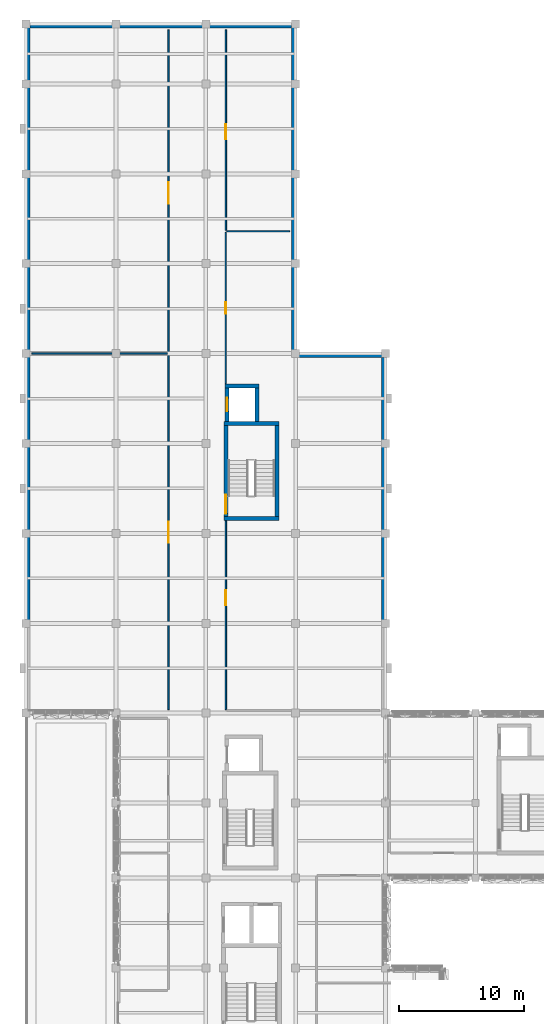
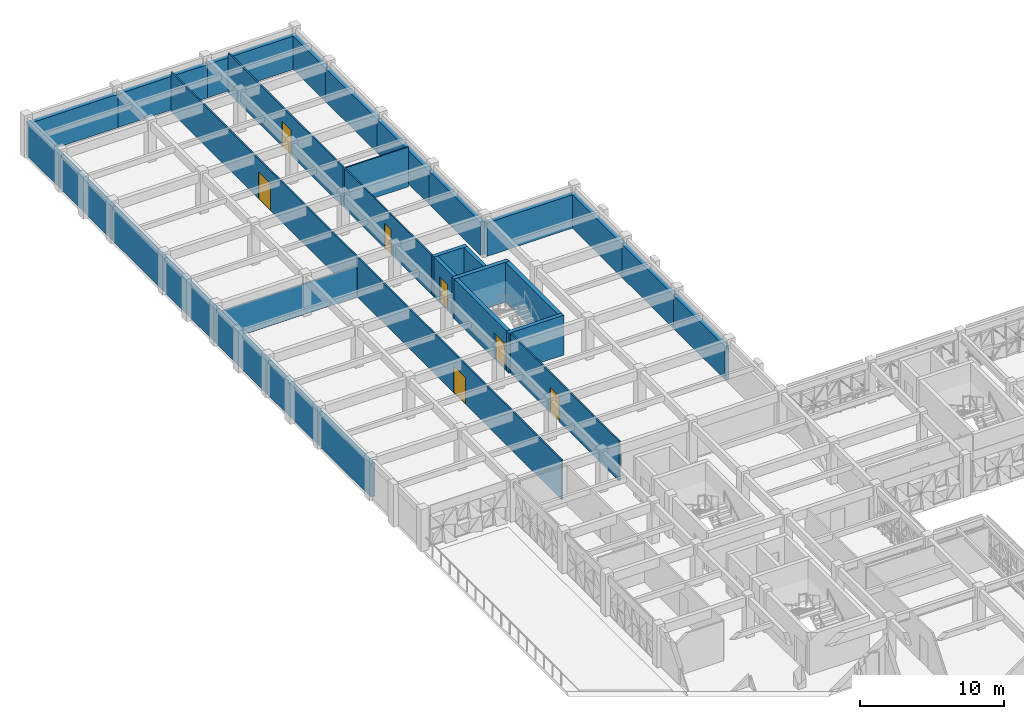
# One storey, part 47 of 85: 32 walls, 7 doors, 7 openings.
"""IFC4 building model written with IfcOpenShell, lengths in metres."""

from ifc_helpers import new_model, si_unit, direction, frame, frame_2d, origin, place, context, subcontext, project, spatial, rectangle, extrude, material, layer, layer_set, type_object, element, fill, save


model = new_model("IFC4")

# Units and contexts
model_context = context("Model", 3, precision=1e-05, world=origin(), true_north=direction((0.0, 1.0)))
body_context = subcontext(model_context, "Body", "Model", "MODEL_VIEW")
ifc_project = project(units=[si_unit("LENGTHUNIT", "METRE"), si_unit("AREAUNIT", "SQUARE_METRE"), si_unit("VOLUMEUNIT", "CUBIC_METRE"), si_unit("PLANEANGLEUNIT", "RADIAN"), si_unit("MASSUNIT", "GRAM", prefix="KILO")], contexts=[model_context])

# Site, building, storey
site_placement = place(None, origin())
site = spatial("IfcSite", under=ifc_project, at=site_placement, CompositionType="ELEMENT")
building_placement = place(site_placement, origin())
building = spatial("IfcBuilding", under=site, at=building_placement, Name="Alvorim Cloister Faculty of Sciences", CompositionType="ELEMENT")
storey_placement = place(building_placement, frame((0.0, 0.0, 8.550048828125)))
storey = spatial("IfcBuildingStorey", under=building, at=storey_placement, Name="L02", CompositionType="ELEMENT", Elevation=8.550048828125)

# Walls
ifc_material_1 = material(Name="Precast Concrete C40", Category="concrete")
ifc_layer_1 = layer(ifc_material_1, 0.320068359375)
ifc_layer_set_1 = layer_set([ifc_layer_1], Name="Precast Concrete C40")
wall_type_1 = type_object("IfcWallType", Name="WL-EXT-PC-320", PredefinedType="SOLIDWALL", material=ifc_layer_set_1)
for number, where, z_axis, x_axis, name in (
    (1, (0.159912109375, 63.60009765625, 0.0), (0.0, 0.0, 1.0), (0.0, 1.0, 0.0), "L02 Exterior Wall WL-0158"),
    (2, (0.159912109375, 70.800048828125, 0.0), (0.0, 0.0, 1.0), (0.0, 1.0, 0.0), "L02 Exterior Wall WL-0159"),
    (3, (0.159912109375, 78.0, 0.0), (0.0, 0.0, 1.0), (0.0, 1.0, 0.0), "L02 Exterior Wall WL-0160"),
    (4, (0.159912109375, 85.199951171875, 0.0), (0.0, 0.0, 1.0), (0.0, 1.0, 0.0), "L02 Exterior Wall WL-0161"),
):
    element("IfcWall", number, at=place(storey_placement, frame(where, z_axis=z_axis, x_axis=x_axis)), inside=storey, type_object=wall_type_1, Name=name, PredefinedType="SOLIDWALL", context=body_context, shape_type="SweptSolid", body=[
        extrude(rectangle(XDim=7.199951171875, YDim=0.320068359375, at=frame_2d((3.60009765625, 0.0))), origin(), (0.0, 0.0, 1.0), 2.83984375),
    ])
wall_1_placement = place(storey_placement, frame((0.159912109375, 92.39990234375, 0.0), z_axis=(0.0, 0.0, 1.0), x_axis=(0.0, 1.0, 0.0)))
element("IfcWall", 5, at=wall_1_placement, inside=storey, type_object=wall_type_1, Name="L02 Exterior Wall WL-0162", PredefinedType="SOLIDWALL", context=body_context, shape_type="SweptSolid", body=[
    extrude(rectangle(XDim=7.2001953125, YDim=0.320068359375, at=frame_2d((3.60009765625, 0.0))), origin(), (0.0, 0.0, 1.0), 2.83984375),
])
wall_2_placement = place(storey_placement, frame((0.159912109375, 99.60009765625, 0.0), z_axis=(0.0, 0.0, 1.0), x_axis=(0.0, 1.0, 0.0)))
element("IfcWall", 6, at=wall_2_placement, inside=storey, type_object=wall_type_1, Name="L02 Exterior Wall WL-0163", PredefinedType="SOLIDWALL", context=body_context, shape_type="SweptSolid", body=[
    extrude(rectangle(XDim=7.199951171875, YDim=0.320068359375, at=frame_2d((3.60009765625, 0.0))), origin(), (0.0, 0.0, 1.0), 2.83984375),
])
wall_3_placement = place(storey_placement, frame((0.159912109375, 106.800048828125, 0.0), z_axis=(0.0, 0.0, 1.0), x_axis=(0.0, 1.0, 0.0)))
element("IfcWall", 7, at=wall_3_placement, inside=storey, type_object=wall_type_1, Name="L02 Exterior Wall WL-0164", PredefinedType="SOLIDWALL", context=body_context, shape_type="SweptSolid", body=[
    extrude(rectangle(XDim=4.800048828125, YDim=0.320068359375, at=frame_2d((2.39990234375, 0.0))), origin(), (0.0, 0.0, 1.0), 2.83984375),
])
for number, where, z_axis, x_axis, name in (
    (8, (0.0, 111.43994140625, 0.0), (0.0, 0.0, 1.0), (1.0, 0.0, 0.0), "L02 Exterior Wall WL-0165"),
    (9, (7.199951171875, 111.43994140625, 0.0), (0.0, 0.0, 1.0), (1.0, 0.0, 0.0), "L02 Exterior Wall WL-0166"),
):
    element("IfcWall", number, at=place(storey_placement, frame(where, z_axis=z_axis, x_axis=x_axis)), inside=storey, type_object=wall_type_1, Name=name, PredefinedType="SOLIDWALL", context=body_context, shape_type="SweptSolid", body=[
        extrude(rectangle(XDim=7.199951171875, YDim=0.320068359375, at=frame_2d((3.60009765625, 0.0))), origin(), (0.0, 0.0, 1.0), 2.83984375),
    ])
wall_4_placement = place(storey_placement, frame((14.39990234375, 111.43994140625, 0.0), z_axis=(0.0, 0.0, 1.0), x_axis=(1.0, 0.0, 0.0)))
element("IfcWall", 10, at=wall_4_placement, inside=storey, type_object=wall_type_1, Name="L02 Exterior Wall WL-0167", PredefinedType="SOLIDWALL", context=body_context, shape_type="SweptSolid", body=[
    extrude(rectangle(XDim=7.2001953125, YDim=0.320068359375, at=frame_2d((3.60009765625, 0.0))), origin(), (0.0, 0.0, 1.0), 2.83984375),
])
wall_5_placement = place(storey_placement, frame((21.43994140625, 106.800048828125, 0.0), z_axis=(0.0, 0.0, 1.0), x_axis=(0.0, 1.0, 0.0)))
element("IfcWall", 11, at=wall_5_placement, inside=storey, type_object=wall_type_1, Name="L02 Exterior Wall WL-0168", PredefinedType="SOLIDWALL", context=body_context, shape_type="SweptSolid", body=[
    extrude(rectangle(XDim=4.800048828125, YDim=0.320068359375, at=frame_2d((2.39990234375, 0.0))), origin(), (0.0, 0.0, 1.0), 2.83984375),
])
wall_6_placement = place(storey_placement, frame((21.43994140625, 99.60009765625, 0.0), z_axis=(0.0, 0.0, 1.0), x_axis=(0.0, 1.0, 0.0)))
element("IfcWall", 12, at=wall_6_placement, inside=storey, type_object=wall_type_1, Name="L02 Exterior Wall WL-0169", PredefinedType="SOLIDWALL", context=body_context, shape_type="SweptSolid", body=[
    extrude(rectangle(XDim=7.199951171875, YDim=0.320068359375, at=frame_2d((3.60009765625, 0.0))), origin(), (0.0, 0.0, 1.0), 2.83984375),
])
wall_7_placement = place(storey_placement, frame((21.43994140625, 92.39990234375, 0.0), z_axis=(0.0, 0.0, 1.0), x_axis=(0.0, 1.0, 0.0)))
element("IfcWall", 13, at=wall_7_placement, inside=storey, type_object=wall_type_1, Name="L02 Exterior Wall WL-0170", PredefinedType="SOLIDWALL", context=body_context, shape_type="SweptSolid", body=[
    extrude(rectangle(XDim=7.2001953125, YDim=0.320068359375, at=frame_2d((3.60009765625, 0.0))), origin(), (0.0, 0.0, 1.0), 2.83984375),
])
for number, where, z_axis, x_axis, name in (
    (14, (21.43994140625, 85.199951171875, 0.0), (0.0, 0.0, 1.0), (0.0, 1.0, 0.0), "L02 Exterior Wall WL-0171"),
    (15, (21.60009765625, 85.0400390625, 0.0), (0.0, 0.0, 1.0), (1.0, 0.0, 0.0), "L02 Exterior Wall WL-0172"),
    (16, (28.639892578125, 78.0, 0.0), (0.0, 0.0, 1.0), (0.0, 1.0, 0.0), "L02 Exterior Wall WL-0173"),
    (17, (28.639892578125, 70.800048828125, 0.0), (0.0, 0.0, 1.0), (0.0, 1.0, 0.0), "L02 Exterior Wall WL-0174"),
    (18, (28.639892578125, 63.60009765625, 0.0), (0.0, 0.0, 1.0), (0.0, 1.0, 0.0), "L02 Exterior Wall WL-0175"),
):
    element("IfcWall", number, at=place(storey_placement, frame(where, z_axis=z_axis, x_axis=x_axis)), inside=storey, type_object=wall_type_1, Name=name, PredefinedType="SOLIDWALL", context=body_context, shape_type="SweptSolid", body=[
        extrude(rectangle(XDim=7.199951171875, YDim=0.320068359375, at=frame_2d((3.60009765625, 0.0))), origin(), (0.0, 0.0, 1.0), 2.83984375),
    ])

# Wall, opening, door
ifc_material_2 = material(Name="Moisture-Resistant Tile Stud Partition", Category="gypsum")
ifc_layer_2 = layer(ifc_material_2, 0.10009765625)
ifc_layer_set_2 = layer_set([ifc_layer_2], Name="Moisture-Resistant Tile Stud Partition")
wall_type_2 = type_object("IfcWallType", Name="WL-PRT-100", PredefinedType="PARTITIONING", material=ifc_layer_set_2)
wall_8_placement = place(storey_placement, frame((16.0, 82.7900390625, 0.0), z_axis=(0.0, 0.0, 1.0), x_axis=(0.0, 1.0, 0.0)))
wall_8 = element("IfcWall", 19, at=wall_8_placement, inside=storey, type_object=wall_type_2, Name="L02 L02 Commons Accessible WCs Partition IWL-0569", PredefinedType="PARTITIONING", context=body_context, shape_type="SweptSolid", body=[
    extrude(rectangle(XDim=12.1298828125, YDim=0.10009765625, at=frame_2d((6.06494140625, 0.0))), origin(), (0.0, 0.0, 1.0), 3.375),
])
opening_1_placement = place(wall_8_placement, frame((5.614990234375, 0.0, 0.0)))
opening_1 = element("IfcOpeningElement", 20, at=opening_1_placement, cuts=wall_8, Name="Opening D-L02-137", PredefinedType="OPENING", context=body_context, shape_type="SweptSolid", body=[
    extrude(rectangle(XDim=0.89990234375, YDim=2.10009765625, at=frame_2d((0.449951171875, 1.050048828125))), frame((0.0, 0.06201171875, 0.0), z_axis=(0.0, -1.0, 0.0), x_axis=(1.0, 0.0, 0.0)), (0.0, 0.0, 1.0), 0.1240234375),
])
ifc_material_3 = material(Name="Moisture-Resistant Laminate Timber", Category="wood")
door_type_1 = type_object("IfcDoorType", Name="DR-WC-900x2100", OperationType="NOTDEFINED", PredefinedType="DOOR", material=ifc_material_3)
door_1_placement = place(opening_1_placement, origin())
door_1 = element("IfcDoor", 21, at=door_1_placement, inside=storey, type_object=door_type_1, Name="L02 Commons Accessible WCs Door D-L02-137", OperationType="SINGLE_SWING_LEFT", OverallHeight=2.10009765625, OverallWidth=0.89990234375, PredefinedType="DOOR", context=body_context, shape_type="SweptSolid", body=[
    extrude(rectangle(XDim=0.89990234375, YDim=2.10009765625, at=frame_2d((0.449951171875, 1.050048828125))), frame((0.0, 0.02490234375, 0.0), z_axis=(0.0, -1.0, 0.0), x_axis=(1.0, 0.0, 0.0)), (0.0, 0.0, 1.0), 0.050048828125),
])
fill(opening_1, door_1)

# Wall
wall_9_placement = place(storey_placement, frame((16.080078125, 95.0, 0.0), z_axis=(0.0, 0.0, 1.0), x_axis=(1.0, 0.0, 0.0)))
element("IfcWall", 22, at=wall_9_placement, inside=storey, type_object=wall_type_2, Name="L02 L02 Commons Accessible WCs Partition IWL-0570", PredefinedType="PARTITIONING", context=body_context, shape_type="SweptSolid", body=[
    extrude(rectangle(XDim=5.0400390625, YDim=0.10009765625, at=frame_2d((2.52001953125, 0.0))), origin(), (0.0, 0.0, 1.0), 3.375),
])

# Wall, opening, door
ifc_material_4 = material(Name="Acoustic Gypsum Stud Partition", Category="gypsum")
ifc_layer_3 = layer(ifc_material_4, 0.1201171875)
ifc_layer_set_3 = layer_set([ifc_layer_3], Name="Acoustic Gypsum Stud Partition")
wall_type_3 = type_object("IfcWallType", Name="WL-PRT-120", PredefinedType="PARTITIONING", material=ifc_layer_set_3)
wall_10_placement = place(storey_placement, frame((11.39990234375, 56.679931640625, 0.0), z_axis=(0.0, 0.0, 1.0), x_axis=(0.0, 1.0, 0.0)))
wall_10 = element("IfcWall", 23, at=wall_10_placement, inside=storey, type_object=wall_type_3, Name="L02 Science Monograph Stacks North Partition IWL-0564", PredefinedType="PARTITIONING", context=body_context, shape_type="SweptSolid", body=[
    extrude(rectangle(XDim=28.440185546875, YDim=0.1201171875, at=frame_2d((14.22021484375, 0.0))), origin(), (0.0, 0.0, 1.0), 3.375),
])
opening_2_placement = place(wall_10_placement, frame((13.3701171875, 0.0, 0.0)))
opening_2 = element("IfcOpeningElement", 24, at=opening_2_placement, cuts=wall_10, Name="Opening D-L02-134", PredefinedType="OPENING", context=body_context, shape_type="SweptSolid", body=[
    extrude(rectangle(XDim=1.699951171875, YDim=2.280029296875, at=frame_2d((0.85009765625, 1.14013671875))), frame((0.0, 0.072021484375, 0.0), z_axis=(0.0, -1.0, 0.0), x_axis=(1.0, 0.0, 0.0)), (0.0, 0.0, 1.0), 0.14404296875),
])
ifc_material_5 = material(Name="Solid Acoustic Oak Timber", Category="wood")
door_type_2 = type_object("IfcDoorType", Name="DR-HALL-1700x2280", OperationType="NOTDEFINED", PredefinedType="DOOR", material=ifc_material_5)
door_2_placement = place(opening_2_placement, origin())
door_2 = element("IfcDoor", 25, at=door_2_placement, inside=storey, type_object=door_type_2, Name="Science Monograph Stacks North Door D-L02-134", OperationType="DOUBLE_DOOR_SINGLE_SWING", OverallHeight=2.280029296875, OverallWidth=1.699951171875, PredefinedType="DOOR", context=body_context, shape_type="SweptSolid", body=[
    extrude(rectangle(XDim=1.699951171875, YDim=2.280029296875, at=frame_2d((0.85009765625, 1.14013671875))), frame((0.0, 0.02490234375, 0.0), z_axis=(0.0, -1.0, 0.0), x_axis=(1.0, 0.0, 0.0)), (0.0, 0.0, 1.0), 0.050048828125),
])
fill(opening_2, door_2)

# Wall
wall_11_placement = place(storey_placement, frame((0.47998046875, 85.199951171875, 0.0), z_axis=(0.0, 0.0, 1.0), x_axis=(1.0, 0.0, 0.0)))
element("IfcWall", 26, at=wall_11_placement, inside=storey, type_object=wall_type_3, Name="L02 Science Monograph Stacks North Partition IWL-0565", PredefinedType="PARTITIONING", context=body_context, shape_type="SweptSolid", body=[
    extrude(rectangle(XDim=10.840087890625, YDim=0.1201171875, at=frame_2d((5.419921875, 0.0))), origin(), (0.0, 0.0, 1.0), 2.594970703125),
])

# Wall, opening, door
wall_12_placement = place(storey_placement, frame((11.39990234375, 85.280029296875, 0.0), z_axis=(0.0, 0.0, 1.0), x_axis=(0.0, 1.0, 0.0)))
wall_12 = element("IfcWall", 27, at=wall_12_placement, inside=storey, type_object=wall_type_3, Name="L02 Graduate Reading Salon Partition IWL-0566", PredefinedType="PARTITIONING", context=body_context, shape_type="SweptSolid", body=[
    extrude(rectangle(XDim=25.840087890625, YDim=0.1201171875, at=frame_2d((12.919921875, 0.0))), origin(), (0.0, 0.0, 1.0), 3.375),
])
opening_3_placement = place(wall_12_placement, frame((11.93994140625, 0.0, 0.0)))
opening_3 = element("IfcOpeningElement", 28, at=opening_3_placement, cuts=wall_12, Name="Opening D-L02-135", PredefinedType="OPENING", context=body_context, shape_type="SweptSolid", body=[
    extrude(rectangle(XDim=1.699951171875, YDim=2.280029296875, at=frame_2d((0.85009765625, 1.14013671875))), frame((0.0, 0.072021484375, 0.0), z_axis=(0.0, -1.0, 0.0), x_axis=(1.0, 0.0, 0.0)), (0.0, 0.0, 1.0), 0.14404296875),
])
door_3_placement = place(opening_3_placement, origin())
door_3 = element("IfcDoor", 29, at=door_3_placement, inside=storey, type_object=door_type_2, Name="Graduate Reading Salon Door D-L02-135", OperationType="DOUBLE_DOOR_SINGLE_SWING", OverallHeight=2.280029296875, OverallWidth=1.699951171875, PredefinedType="DOOR", context=body_context, shape_type="SweptSolid", body=[
    extrude(rectangle(XDim=1.699951171875, YDim=2.280029296875, at=frame_2d((0.85009765625, 1.14013671875))), frame((0.0, 0.02490234375, 0.0), z_axis=(0.0, -1.0, 0.0), x_axis=(1.0, 0.0, 0.0)), (0.0, 0.0, 1.0), 0.050048828125),
])
fill(opening_3, door_3)

wall_13_placement = place(storey_placement, frame((16.0, 56.679931640625, 0.0), z_axis=(0.0, 0.0, 1.0), x_axis=(0.0, 1.0, 0.0)))
wall_13 = element("IfcWall", 30, at=wall_13_placement, inside=storey, type_object=wall_type_3, Name="L02 Data Visualization Lab Partition IWL-0567", PredefinedType="PARTITIONING", context=body_context, shape_type="SweptSolid", body=[
    extrude(rectangle(XDim=15.1201171875, YDim=0.1201171875, at=frame_2d((7.56005859375, 0.0))), origin(), (0.0, 0.0, 1.0), 3.375),
])
opening_4_placement = place(wall_13_placement, frame((8.3642578125, 0.0, 0.0)))
opening_4 = element("IfcOpeningElement", 31, at=opening_4_placement, cuts=wall_13, Name="Opening D-L02-136", PredefinedType="OPENING", context=body_context, shape_type="SweptSolid", body=[
    extrude(rectangle(XDim=1.199951171875, YDim=2.14990234375, at=frame_2d((0.60009765625, 1.074951171875))), frame((0.0, 0.072021484375, 0.0), z_axis=(0.0, -1.0, 0.0), x_axis=(1.0, 0.0, 0.0)), (0.0, 0.0, 1.0), 0.14404296875),
])
door_type_3 = type_object("IfcDoorType", Name="DR-SEM-1200x2150", OperationType="NOTDEFINED", PredefinedType="DOOR", material=ifc_material_5)
door_4_placement = place(opening_4_placement, origin())
door_4 = element("IfcDoor", 32, at=door_4_placement, inside=storey, type_object=door_type_3, Name="Data Visualization Lab Door D-L02-136", OperationType="SINGLE_SWING_RIGHT", OverallHeight=2.14990234375, OverallWidth=1.199951171875, PredefinedType="DOOR", context=body_context, shape_type="SweptSolid", body=[
    extrude(rectangle(XDim=1.199951171875, YDim=2.14990234375, at=frame_2d((0.60009765625, 1.074951171875))), frame((0.0, 0.02490234375, 0.0), z_axis=(0.0, -1.0, 0.0), x_axis=(1.0, 0.0, 0.0)), (0.0, 0.0, 1.0), 0.050048828125),
])
fill(opening_4, door_4)

wall_14_placement = place(storey_placement, frame((16.0, 95.080078125, 0.0), z_axis=(0.0, 0.0, 1.0), x_axis=(0.0, 1.0, 0.0)))
wall_14 = element("IfcWall", 33, at=wall_14_placement, inside=storey, type_object=wall_type_3, Name="L02 Digital Humanities Seminar Partition IWL-0571", PredefinedType="PARTITIONING", context=body_context, shape_type="SweptSolid", body=[
    extrude(rectangle(XDim=16.0400390625, YDim=0.1201171875, at=frame_2d((8.02001953125, 0.0))), origin(), (0.0, 0.0, 1.0), 3.375),
])
opening_5_placement = place(wall_14_placement, frame((7.2900390625, 0.0, 0.0)))
opening_5 = element("IfcOpeningElement", 34, at=opening_5_placement, cuts=wall_14, Name="Opening D-L02-138", PredefinedType="OPENING", context=body_context, shape_type="SweptSolid", body=[
    extrude(rectangle(XDim=1.199951171875, YDim=2.14990234375, at=frame_2d((0.60009765625, 1.074951171875))), frame((0.0, 0.072021484375, 0.0), z_axis=(0.0, -1.0, 0.0), x_axis=(1.0, 0.0, 0.0)), (0.0, 0.0, 1.0), 0.14404296875),
])
door_5_placement = place(opening_5_placement, origin())
door_5 = element("IfcDoor", 35, at=door_5_placement, inside=storey, type_object=door_type_3, Name="Digital Humanities Seminar Door D-L02-138", OperationType="SINGLE_SWING_RIGHT", OverallHeight=2.14990234375, OverallWidth=1.199951171875, PredefinedType="DOOR", context=body_context, shape_type="SweptSolid", body=[
    extrude(rectangle(XDim=1.199951171875, YDim=2.14990234375, at=frame_2d((0.60009765625, 1.074951171875))), frame((0.0, 0.02490234375, 0.0), z_axis=(0.0, -1.0, 0.0), x_axis=(1.0, 0.0, 0.0)), (0.0, 0.0, 1.0), 0.050048828125),
])
fill(opening_5, door_5)

# Wall
ifc_material_6 = material(Name="Concrete C40", Category="concrete")
ifc_layer_4 = layer(ifc_material_6, 0.300048828125)
ifc_layer_set_4 = layer_set([ifc_layer_4], Name="Concrete C40")
wall_type_4 = type_object("IfcWallType", Name="WL-SHR-300", PredefinedType="SHEAR", material=ifc_layer_set_4)
wall_15_placement = place(storey_placement, frame((15.949951171875, 82.60009765625, 0.0), z_axis=(0.0, 0.0, 1.0), x_axis=(1.0, 0.0, 0.0)))
element("IfcWall", 36, at=wall_15_placement, inside=storey, type_object=wall_type_4, Name="L02 Lift LP-05 Shaft Wall IWL-0371", PredefinedType="SHEAR", context=body_context, shape_type="SweptSolid", body=[
    extrude(rectangle(XDim=2.699951171875, YDim=0.300048828125, at=frame_2d((1.35009765625, 0.0))), origin(), (0.0, 0.0, 1.0), 3.389892578125),
])

# Wall, opening, door
wall_16_placement = place(storey_placement, frame((16.10009765625, 79.780029296875, 0.0), z_axis=(0.0, 0.0, 1.0), x_axis=(0.0, 1.0, 0.0)))
wall_16 = element("IfcWall", 37, at=wall_16_placement, inside=storey, type_object=wall_type_4, Name="L02 Lift LP-05 Shaft Wall IWL-0372", PredefinedType="SHEAR", context=body_context, shape_type="SweptSolid", body=[
    extrude(rectangle(XDim=2.669921875, YDim=0.300048828125, at=frame_2d((1.3349609375, 0.0))), origin(), (0.0, 0.0, 1.0), 3.389892578125),
])
opening_6_placement = place(wall_16_placement, frame((0.784912109375, 0.0, 0.0)))
opening_6 = element("IfcOpeningElement", 38, at=opening_6_placement, cuts=wall_16, Name="Opening LD-054", PredefinedType="OPENING", context=body_context, shape_type="SweptSolid", body=[
    extrude(rectangle(XDim=1.10009765625, YDim=2.199951171875, at=frame_2d((0.550048828125, 1.10009765625))), frame((0.0, 0.162109375, 0.0), z_axis=(0.0, -1.0, 0.0), x_axis=(1.0, 0.0, 0.0)), (0.0, 0.0, 1.0), 0.323974609375),
])
ifc_material_7 = material(Name="Brushed Stainless Steel", Category="steel")
door_type_4 = type_object("IfcDoorType", Name="DR-LFT-1100x2200", OperationType="NOTDEFINED", PredefinedType="DOOR", material=ifc_material_7)
door_6_placement = place(opening_6_placement, origin())
door_6 = element("IfcDoor", 39, at=door_6_placement, inside=storey, type_object=door_type_4, Name="L02 Lift LP-05 Sliding Landing Door LD-054", OperationType="DOUBLE_DOOR_SLIDING", OverallHeight=2.199951171875, OverallWidth=1.10009765625, PredefinedType="DOOR", context=body_context, shape_type="SweptSolid", body=[
    extrude(rectangle(XDim=1.10009765625, YDim=2.199951171875, at=frame_2d((0.550048828125, 1.10009765625))), frame((0.0, 0.02490234375, 0.0), z_axis=(0.0, -1.0, 0.0), x_axis=(1.0, 0.0, 0.0)), (0.0, 0.0, 1.0), 0.050048828125),
])
fill(opening_6, door_6)

# Walls
wall_17_placement = place(storey_placement, frame((18.5, 79.780029296875, 0.0), z_axis=(0.0, 0.0, 1.0), x_axis=(0.0, 1.0, 0.0)))
element("IfcWall", 40, at=wall_17_placement, inside=storey, type_object=wall_type_4, Name="L02 Lift LP-05 Shaft Wall IWL-0373", PredefinedType="SHEAR", context=body_context, shape_type="SweptSolid", body=[
    extrude(rectangle(XDim=2.669921875, YDim=0.300048828125, at=frame_2d((1.3349609375, 0.0))), origin(), (0.0, 0.0, 1.0), 3.389892578125),
])
ifc_layer_5 = layer(ifc_material_6, 0.320068359375)
ifc_layer_set_5 = layer_set([ifc_layer_5], Name="Concrete C40")
wall_type_5 = type_object("IfcWallType", Name="WL-SHR-320", PredefinedType="SHEAR", material=ifc_layer_set_5)
for number, where, z_axis, x_axis, name in (
    (41, (15.840087890625, 72.0, 0.0), (0.0, 0.0, 1.0), (1.0, 0.0, 0.0), "L02 CORE K5 Shear Wall IWL-0173"),
    (42, (15.840087890625, 79.60009765625, 0.0), (0.0, 0.0, 1.0), (1.0, 0.0, 0.0), "L02 CORE K5 Shear Wall IWL-0174"),
):
    element("IfcWall", number, at=place(storey_placement, frame(where, z_axis=z_axis, x_axis=x_axis)), inside=storey, type_object=wall_type_5, Name=name, PredefinedType="SHEAR", context=body_context, shape_type="SweptSolid", body=[
        extrude(rectangle(XDim=4.43994140625, YDim=0.320068359375, at=frame_2d((2.219970703125, 0.0))), origin(), (0.0, 0.0, 1.0), 3.389892578125),
    ])

# Wall, opening, door
wall_18_placement = place(storey_placement, frame((16.0, 72.159912109375, 0.0), z_axis=(0.0, 0.0, 1.0), x_axis=(0.0, 1.0, 0.0)))
wall_18 = element("IfcWall", 43, at=wall_18_placement, inside=storey, type_object=wall_type_5, Name="L02 CORE K5 Shear Wall IWL-0175", PredefinedType="SHEAR", context=body_context, shape_type="SweptSolid", body=[
    extrude(rectangle(XDim=7.280029296875, YDim=0.320068359375, at=frame_2d((3.64013671875, 0.0))), origin(), (0.0, 0.0, 1.0), 3.389892578125),
])
opening_7_placement = place(wall_18_placement, frame((0.219970703125, 0.0, 0.0)))
opening_7 = element("IfcOpeningElement", 44, at=opening_7_placement, cuts=wall_18, Name="Opening SD-K5-L02", PredefinedType="OPENING", context=body_context, shape_type="SweptSolid", body=[
    extrude(rectangle(XDim=1.5, YDim=2.199951171875, at=frame_2d((0.75, 1.10009765625))), frame((0.0, 0.171875, 0.0), z_axis=(0.0, -1.0, 0.0), x_axis=(1.0, 0.0, 0.0)), (0.0, 0.0, 1.0), 0.343994140625),
])
ifc_material_8 = material(Name="Galvanised Fire-Rated Steel", Category="steel")
door_type_5 = type_object("IfcDoorType", Name="DR-STR-1500x2200", OperationType="NOTDEFINED", PredefinedType="DOOR", material=ifc_material_8)
door_7_placement = place(opening_7_placement, origin())
door_7 = element("IfcDoor", 45, at=door_7_placement, inside=storey, type_object=door_type_5, Name="L02 Stair ST-05 Fire Door SD-K5-L02", OperationType="DOUBLE_DOOR_SINGLE_SWING", OverallHeight=2.199951171875, OverallWidth=1.5, PredefinedType="DOOR", context=body_context, shape_type="SweptSolid", body=[
    extrude(rectangle(XDim=1.5, YDim=2.199951171875, at=frame_2d((0.75, 1.10009765625))), frame((0.0, 0.02490234375, 0.0), z_axis=(0.0, -1.0, 0.0), x_axis=(1.0, 0.0, 0.0)), (0.0, 0.0, 1.0), 0.050048828125),
])
fill(opening_7, door_7)

# Wall
wall_19_placement = place(storey_placement, frame((20.1201171875, 72.159912109375, 0.0), z_axis=(0.0, 0.0, 1.0), x_axis=(0.0, 1.0, 0.0)))
element("IfcWall", 46, at=wall_19_placement, inside=storey, type_object=wall_type_5, Name="L02 CORE K5 Shear Wall IWL-0176", PredefinedType="SHEAR", context=body_context, shape_type="SweptSolid", body=[
    extrude(rectangle(XDim=7.280029296875, YDim=0.320068359375, at=frame_2d((3.64013671875, 0.0))), origin(), (0.0, 0.0, 1.0), 3.389892578125),
])

save(model, "model.ifc")
